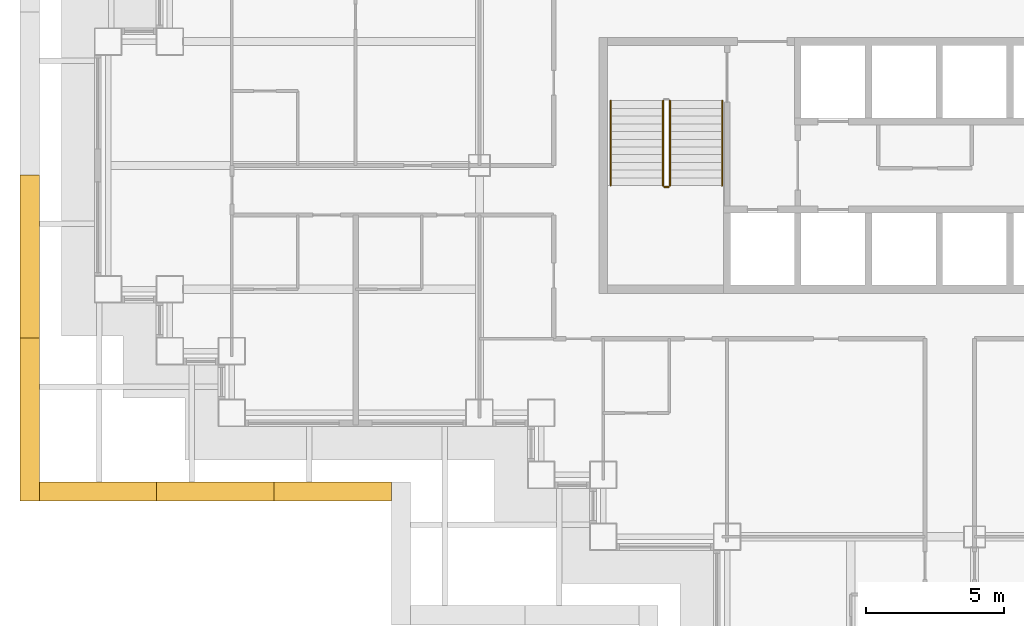
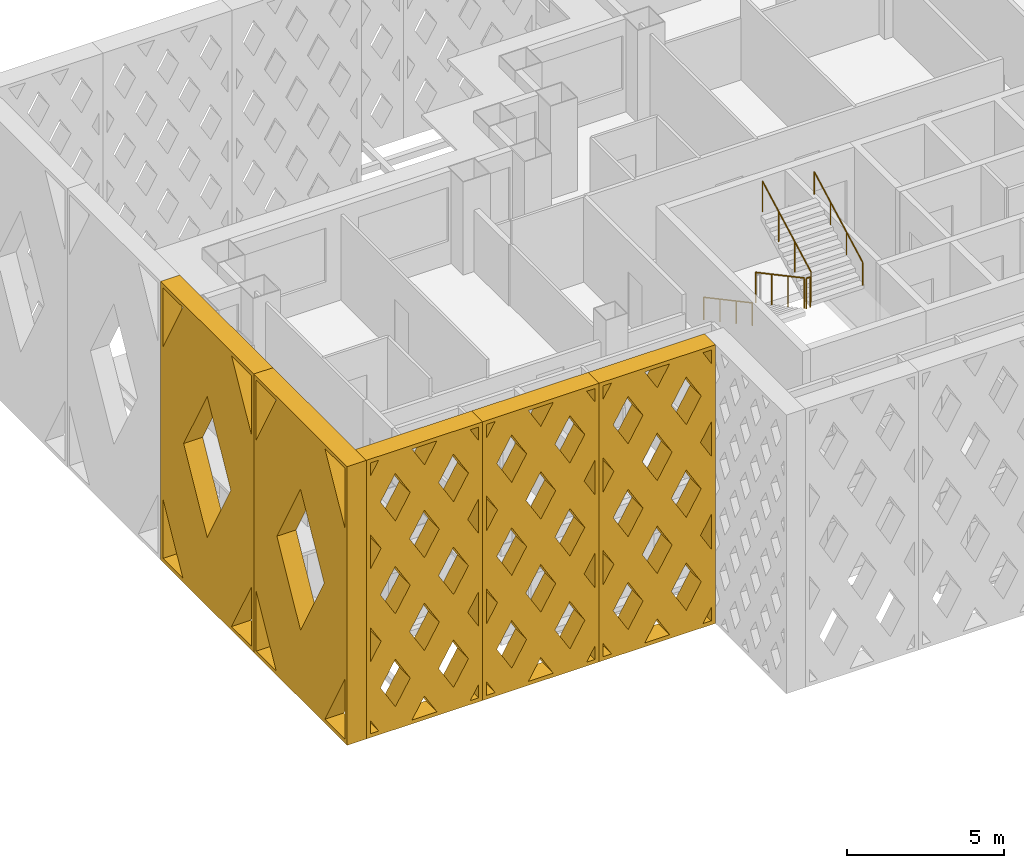
# One storey, part 14 of 19: 5 railings, 5 shading devices.
"""IFC4 building model written with IfcOpenShell, lengths in metres."""

from ifc_helpers import new_model, si_unit, direction, frame, origin, origin_2d, place, context, subcontext, project, spatial, polyline, circle, outline, extrude, material, type_object, element, save


model = new_model("IFC4")

# Units and contexts
model_context = context("Model", 3, precision=1e-05, world=origin(), true_north=direction((0.0, 1.0)))
body_context = subcontext(model_context, "Body", "Model", "MODEL_VIEW")
ifc_project = project(units=[si_unit("LENGTHUNIT", "METRE"), si_unit("AREAUNIT", "SQUARE_METRE"), si_unit("VOLUMEUNIT", "CUBIC_METRE"), si_unit("PLANEANGLEUNIT", "RADIAN"), si_unit("MASSUNIT", "GRAM", prefix="KILO")], contexts=[model_context])

# Site, building, storey
site_placement = place(None, origin())
site = spatial("IfcSite", under=ifc_project, at=site_placement, CompositionType="ELEMENT")
building_placement = place(site_placement, origin())
building = spatial("IfcBuilding", under=site, at=building_placement, Name="Caravel Reach Hotel and Residences", CompositionType="ELEMENT")
storey_placement = place(building_placement, frame((0.0, 0.0, 74.39990234375)))
storey = spatial("IfcBuildingStorey", under=building, at=storey_placement, Name="L17", CompositionType="ELEMENT", Elevation=74.39990234375)

# Shading devices
ifc_material_1 = material(Name="Black powder-coated aluminium", Category="aluminium")
shading_device_type_1 = type_object("IfcShadingDeviceType", Name="Diamond lattice screen panel 4267 x 10800", PredefinedType="USERDEFINED", material=ifc_material_1)
shading_device_1_placement = place(storey_placement, frame((-2.5, 15.5, 0.0), z_axis=(0.0, -1.0, 0.0), x_axis=(1.0, 0.0, 0.0)))
element("IfcShadingDevice", 1, at=shading_device_1_placement, inside=storey, type_object=shading_device_type_1, Name="Lattice screen L17-L19 18.1", ObjectType="SCREEN", PredefinedType="USERDEFINED", context=body_context, shape_type="SweptSolid", body=[
    extrude(outline(polyline([(0.0, 0.0), (4.2666015625, 0.0), (4.2666015625, 10.800048828125), (0.0, 10.800048828125), (0.0, 0.0)]), holes=[polyline([(0.457275390625, 0.14990234375), (0.14990234375, 0.66845703125), (0.14990234375, 0.14990234375), (0.457275390625, 0.14990234375)]), polyline([(0.546142578125, 3.60009765625), (0.14990234375, 4.2685546875), (0.14990234375, 2.931396484375), (0.546142578125, 3.60009765625)]), polyline([(0.546142578125, 7.199951171875), (0.14990234375, 7.868408203125), (0.14990234375, 6.531494140625), (0.546142578125, 7.199951171875)]), polyline([(0.14990234375, 10.131591796875), (0.457275390625, 10.64990234375), (0.14990234375, 10.64990234375), (0.14990234375, 10.131591796875)]), polyline([(1.066650390625, 2.7216796875), (0.5205078125, 1.800048828125), (1.066650390625, 0.87841796875), (1.61279296875, 1.800048828125), (1.066650390625, 2.7216796875)]), polyline([(1.066650390625, 6.321533203125), (0.5205078125, 5.39990234375), (1.066650390625, 4.478271484375), (1.61279296875, 5.39990234375), (1.066650390625, 6.321533203125)]), polyline([(1.066650390625, 9.921630859375), (0.5205078125, 9.0), (1.066650390625, 8.078369140625), (1.61279296875, 9.0), (1.066650390625, 9.921630859375)]), polyline([(2.13330078125, 0.921630859375), (1.676025390625, 0.14990234375), (2.590576171875, 0.14990234375), (2.13330078125, 0.921630859375)]), polyline([(2.13330078125, 4.521728515625), (1.587158203125, 3.60009765625), (2.13330078125, 2.678466796875), (2.679443359375, 3.60009765625), (2.13330078125, 4.521728515625)]), polyline([(2.13330078125, 8.12158203125), (1.587158203125, 7.199951171875), (2.13330078125, 6.2783203125), (2.679443359375, 7.199951171875), (2.13330078125, 8.12158203125)]), polyline([(2.13330078125, 9.87841796875), (2.590576171875, 10.64990234375), (1.676025390625, 10.64990234375), (2.13330078125, 9.87841796875)]), polyline([(3.199951171875, 2.7216796875), (2.65380859375, 1.800048828125), (3.199951171875, 0.87841796875), (3.74609375, 1.800048828125), (3.199951171875, 2.7216796875)]), polyline([(3.199951171875, 6.321533203125), (2.65380859375, 5.39990234375), (3.199951171875, 4.478271484375), (3.74609375, 5.39990234375), (3.199951171875, 6.321533203125)]), polyline([(3.199951171875, 9.921630859375), (2.65380859375, 9.0), (3.199951171875, 8.078369140625), (3.74609375, 9.0), (3.199951171875, 9.921630859375)]), polyline([(4.11669921875, 0.66845703125), (3.809326171875, 0.14990234375), (4.11669921875, 0.14990234375), (4.11669921875, 0.66845703125)]), polyline([(3.720458984375, 3.60009765625), (4.11669921875, 2.931396484375), (4.11669921875, 4.2685546875), (3.720458984375, 3.60009765625)]), polyline([(3.720458984375, 7.199951171875), (4.11669921875, 6.531494140625), (4.11669921875, 7.868408203125), (3.720458984375, 7.199951171875)]), polyline([(3.809326171875, 10.64990234375), (4.11669921875, 10.131591796875), (4.11669921875, 10.64990234375), (3.809326171875, 10.64990234375)])]), origin(), (0.0, 0.0, 1.0), 0.699951171875),
])
shading_device_2_placement = place(storey_placement, frame((1.7666015625, 15.5, 0.0), z_axis=(0.0, -1.0, 0.0), x_axis=(1.0, 0.0, 0.0)))
element("IfcShadingDevice", 2, at=shading_device_2_placement, inside=storey, type_object=shading_device_type_1, Name="Lattice screen L17-L19 18.2", ObjectType="SCREEN", PredefinedType="USERDEFINED", context=body_context, shape_type="SweptSolid", body=[
    extrude(outline(polyline([(0.0, 0.0), (4.2666015625, 0.0), (4.2666015625, 10.800048828125), (0.0, 10.800048828125), (0.0, 0.0)]), holes=[polyline([(0.457275390625, 0.14990234375), (0.14990234375, 0.66845703125), (0.14990234375, 0.14990234375), (0.457275390625, 0.14990234375)]), polyline([(0.546142578125, 3.60009765625), (0.14990234375, 4.2685546875), (0.14990234375, 2.931396484375), (0.546142578125, 3.60009765625)]), polyline([(0.546142578125, 7.199951171875), (0.14990234375, 7.868408203125), (0.14990234375, 6.531494140625), (0.546142578125, 7.199951171875)]), polyline([(0.14990234375, 10.131591796875), (0.457275390625, 10.64990234375), (0.14990234375, 10.64990234375), (0.14990234375, 10.131591796875)]), polyline([(1.066650390625, 2.7216796875), (0.5205078125, 1.800048828125), (1.066650390625, 0.87841796875), (1.61279296875, 1.800048828125), (1.066650390625, 2.7216796875)]), polyline([(1.066650390625, 6.321533203125), (0.5205078125, 5.39990234375), (1.066650390625, 4.478271484375), (1.61279296875, 5.39990234375), (1.066650390625, 6.321533203125)]), polyline([(1.066650390625, 9.921630859375), (0.5205078125, 9.0), (1.066650390625, 8.078369140625), (1.61279296875, 9.0), (1.066650390625, 9.921630859375)]), polyline([(2.13330078125, 0.921630859375), (1.676025390625, 0.14990234375), (2.590576171875, 0.14990234375), (2.13330078125, 0.921630859375)]), polyline([(2.13330078125, 4.521728515625), (1.587158203125, 3.60009765625), (2.13330078125, 2.678466796875), (2.679443359375, 3.60009765625), (2.13330078125, 4.521728515625)]), polyline([(2.13330078125, 8.12158203125), (1.587158203125, 7.199951171875), (2.13330078125, 6.2783203125), (2.679443359375, 7.199951171875), (2.13330078125, 8.12158203125)]), polyline([(2.13330078125, 9.87841796875), (2.590576171875, 10.64990234375), (1.676025390625, 10.64990234375), (2.13330078125, 9.87841796875)]), polyline([(3.199951171875, 2.7216796875), (2.65380859375, 1.800048828125), (3.199951171875, 0.87841796875), (3.74609375, 1.800048828125), (3.199951171875, 2.7216796875)]), polyline([(3.199951171875, 6.321533203125), (2.65380859375, 5.39990234375), (3.199951171875, 4.478271484375), (3.74609375, 5.39990234375), (3.199951171875, 6.321533203125)]), polyline([(3.199951171875, 9.921630859375), (2.65380859375, 9.0), (3.199951171875, 8.078369140625), (3.74609375, 9.0), (3.199951171875, 9.921630859375)]), polyline([(4.11669921875, 0.66845703125), (3.809326171875, 0.14990234375), (4.11669921875, 0.14990234375), (4.11669921875, 0.66845703125)]), polyline([(3.720458984375, 3.60009765625), (4.11669921875, 2.931396484375), (4.11669921875, 4.2685546875), (3.720458984375, 3.60009765625)]), polyline([(3.720458984375, 7.199951171875), (4.11669921875, 6.531494140625), (4.11669921875, 7.868408203125), (3.720458984375, 7.199951171875)]), polyline([(3.809326171875, 10.64990234375), (4.11669921875, 10.131591796875), (4.11669921875, 10.64990234375), (3.809326171875, 10.64990234375)])]), origin(), (0.0, 0.0, 1.0), 0.699951171875),
])
shading_device_3_placement = place(storey_placement, frame((6.033447265625, 15.5, 0.0), z_axis=(0.0, -1.0, 0.0), x_axis=(1.0, 0.0, 0.0)))
element("IfcShadingDevice", 3, at=shading_device_3_placement, inside=storey, type_object=shading_device_type_1, Name="Lattice screen L17-L19 18.3", ObjectType="SCREEN", PredefinedType="USERDEFINED", context=body_context, shape_type="SweptSolid", body=[
    extrude(outline(polyline([(0.0, 0.0), (4.2666015625, 0.0), (4.2666015625, 10.800048828125), (0.0, 10.800048828125), (0.0, 0.0)]), holes=[polyline([(0.457275390625, 0.14990234375), (0.14990234375, 0.66845703125), (0.14990234375, 0.14990234375), (0.457275390625, 0.14990234375)]), polyline([(0.546142578125, 3.60009765625), (0.14990234375, 4.2685546875), (0.14990234375, 2.931396484375), (0.546142578125, 3.60009765625)]), polyline([(0.546142578125, 7.199951171875), (0.14990234375, 7.868408203125), (0.14990234375, 6.531494140625), (0.546142578125, 7.199951171875)]), polyline([(0.14990234375, 10.131591796875), (0.457275390625, 10.64990234375), (0.14990234375, 10.64990234375), (0.14990234375, 10.131591796875)]), polyline([(1.066650390625, 2.7216796875), (0.5205078125, 1.800048828125), (1.066650390625, 0.87841796875), (1.61279296875, 1.800048828125), (1.066650390625, 2.7216796875)]), polyline([(1.066650390625, 6.321533203125), (0.5205078125, 5.39990234375), (1.066650390625, 4.478271484375), (1.61279296875, 5.39990234375), (1.066650390625, 6.321533203125)]), polyline([(1.066650390625, 9.921630859375), (0.5205078125, 9.0), (1.066650390625, 8.078369140625), (1.61279296875, 9.0), (1.066650390625, 9.921630859375)]), polyline([(2.13330078125, 0.921630859375), (1.676025390625, 0.14990234375), (2.590576171875, 0.14990234375), (2.13330078125, 0.921630859375)]), polyline([(2.13330078125, 4.521728515625), (1.587158203125, 3.60009765625), (2.13330078125, 2.678466796875), (2.679443359375, 3.60009765625), (2.13330078125, 4.521728515625)]), polyline([(2.13330078125, 8.12158203125), (1.587158203125, 7.199951171875), (2.13330078125, 6.2783203125), (2.679443359375, 7.199951171875), (2.13330078125, 8.12158203125)]), polyline([(2.13330078125, 9.87841796875), (2.590576171875, 10.64990234375), (1.676025390625, 10.64990234375), (2.13330078125, 9.87841796875)]), polyline([(3.199951171875, 2.7216796875), (2.65380859375, 1.800048828125), (3.199951171875, 0.87841796875), (3.74609375, 1.800048828125), (3.199951171875, 2.7216796875)]), polyline([(3.199951171875, 6.321533203125), (2.65380859375, 5.39990234375), (3.199951171875, 4.478271484375), (3.74609375, 5.39990234375), (3.199951171875, 6.321533203125)]), polyline([(3.199951171875, 9.921630859375), (2.65380859375, 9.0), (3.199951171875, 8.078369140625), (3.74609375, 9.0), (3.199951171875, 9.921630859375)]), polyline([(4.11669921875, 0.66845703125), (3.809326171875, 0.14990234375), (4.11669921875, 0.14990234375), (4.11669921875, 0.66845703125)]), polyline([(3.720458984375, 3.60009765625), (4.11669921875, 2.931396484375), (4.11669921875, 4.2685546875), (3.720458984375, 3.60009765625)]), polyline([(3.720458984375, 7.199951171875), (4.11669921875, 6.531494140625), (4.11669921875, 7.868408203125), (3.720458984375, 7.199951171875)]), polyline([(3.809326171875, 10.64990234375), (4.11669921875, 10.131591796875), (4.11669921875, 10.64990234375), (3.809326171875, 10.64990234375)])]), origin(), (0.0, 0.0, 1.0), 0.699951171875),
])
ifc_material_2 = material(Name="Black powder-coated aluminium", Category="aluminium")
shading_device_type_2 = type_object("IfcShadingDeviceType", Name="Diamond lattice screen panel 5925 x 10800", PredefinedType="USERDEFINED", material=ifc_material_2)
for number, where, z_axis, x_axis, name in (
    (4, (-2.5, 26.64990234375, 0.0), (-1.0, 0.0, 0.0), (0.0, -1.0, 0.0), "Lattice screen L17-L19 17.3"),
    (5, (-2.5, 20.72509765625, 0.0), (-1.0, 0.0, 0.0), (0.0, -1.0, 0.0), "Lattice screen L17-L19 17.4"),
):
    element("IfcShadingDevice", number, at=place(storey_placement, frame(where, z_axis=z_axis, x_axis=x_axis)), inside=storey, type_object=shading_device_type_2, Name=name, ObjectType="SCREEN", PredefinedType="USERDEFINED", context=body_context, shape_type="SweptSolid", body=[
        extrude(outline(polyline([(0.0, 0.0), (5.925048828125, 0.0), (5.925048828125, 10.800048828125), (0.0, 10.800048828125), (0.0, 0.0)]), holes=[polyline([(1.41845703125, 0.14990234375), (0.14990234375, 2.462158203125), (0.14990234375, 0.14990234375), (1.41845703125, 0.14990234375)]), polyline([(0.14990234375, 8.337646484375), (1.41845703125, 10.64990234375), (0.14990234375, 10.64990234375), (0.14990234375, 8.337646484375)]), polyline([(2.96240234375, 8.1357421875), (1.461669921875, 5.39990234375), (2.96240234375, 2.664306640625), (4.46337890625, 5.39990234375), (2.96240234375, 8.1357421875)]), polyline([(5.77490234375, 2.462158203125), (4.506591796875, 0.14990234375), (5.77490234375, 0.14990234375), (5.77490234375, 2.462158203125)]), polyline([(4.506591796875, 10.64990234375), (5.77490234375, 8.337646484375), (5.77490234375, 10.64990234375), (4.506591796875, 10.64990234375)])]), origin(), (0.0, 0.0, 1.0), 0.699951171875),
    ])

# Railings
ifc_material_3 = material(Name="Steel balustrade with glass infill", Category="steel")
railing_type_1 = type_object("IfcRailingType", Name="Guard 1200", PredefinedType="GUARDRAIL", material=ifc_material_3)
railing_1_placement = place(storey_placement, frame((20.175048828125, 29.35009765625, 0.150146484375)))
element("IfcRailing", 6, at=railing_1_placement, inside=storey, type_object=railing_type_1, Name="L17 ST-A stair guard 1", PredefinedType="GUARDRAIL", context=body_context, shape_type="SweptSolid", body=[
    extrude(circle(Radius=0.02392578125, at=origin_2d()), frame((0.0, 0.0, 1.17578125), z_axis=(0.0, -0.881496589024, 0.472190389079), x_axis=(1.0, 0.0, 0.0)), (0.0, 0.0, 1.0), 3.494140625),
    extrude(circle(Radius=0.02099609375, at=origin_2d()), origin(), (0.0, 0.0, 1.0), 1.15185546875),
    extrude(circle(Radius=0.02099609375, at=origin_2d()), frame((0.0, -1.026611328125, 0.550048828125)), (0.0, 0.0, 1.0), 1.15185546875),
    extrude(circle(Radius=0.02099609375, at=origin_2d()), frame((0.0, -2.053466796875, 1.099853515625)), (0.0, 0.0, 1.0), 1.15185546875),
    extrude(circle(Radius=0.02099609375, at=origin_2d()), frame((0.0, -3.080078125, 1.64990234375)), (0.0, 0.0, 1.0), 1.15185546875),
])
railing_2_placement = place(storey_placement, frame((20.22509765625, 26.219970703125, 1.800048828125)))
element("IfcRailing", 7, at=railing_2_placement, inside=storey, type_object=railing_type_1, Name="L17 ST-A stair guard 2", PredefinedType="GUARDRAIL", context=body_context, shape_type="SweptSolid", body=[
    extrude(circle(Radius=0.02392578125, at=origin_2d()), frame((0.0, 0.0, 1.17578125), z_axis=(1.0, 0.0, 0.0), x_axis=(0.0, 1.0, 0.0)), (0.0, 0.0, 1.0), 0.14990234375),
    extrude(circle(Radius=0.02099609375, at=origin_2d()), origin(), (0.0, 0.0, 1.0), 1.15185546875),
    extrude(circle(Radius=0.02099609375, at=origin_2d()), frame((0.14990234375, 0.0, 0.0)), (0.0, 0.0, 1.0), 1.15185546875),
])
railing_3_placement = place(storey_placement, frame((20.425048828125, 26.27001953125, 1.9501953125)))
element("IfcRailing", 8, at=railing_3_placement, inside=storey, type_object=railing_type_1, Name="L17 ST-A stair guard 3", PredefinedType="GUARDRAIL", context=body_context, shape_type="SweptSolid", body=[
    extrude(circle(Radius=0.02392578125, at=origin_2d()), frame((0.0, 0.0, 1.17578125), z_axis=(0.0, 0.881496589024, 0.472190389079), x_axis=(-1.0, 0.0, 0.0)), (0.0, 0.0, 1.0), 3.494140625),
    extrude(circle(Radius=0.02099609375, at=origin_2d()), origin(), (0.0, 0.0, 1.0), 1.15185546875),
    extrude(circle(Radius=0.02099609375, at=origin_2d()), frame((0.0, 1.026611328125, 0.550048828125)), (0.0, 0.0, 1.0), 1.15185546875),
    extrude(circle(Radius=0.02099609375, at=origin_2d()), frame((0.0, 2.053466796875, 1.099853515625)), (0.0, 0.0, 1.0), 1.15185546875),
    extrude(circle(Radius=0.02099609375, at=origin_2d()), frame((0.0, 3.080078125, 1.64990234375)), (0.0, 0.0, 1.0), 1.15185546875),
])
ifc_material_4 = material(Name="Stainless steel handrail", Category="steel")
railing_type_2 = type_object("IfcRailingType", Name="Handrail 900", PredefinedType="HANDRAIL", material=ifc_material_4)
railing_4_placement = place(storey_placement, frame((18.27490234375, 29.35009765625, 0.150146484375)))
element("IfcRailing", 9, at=railing_4_placement, inside=storey, type_object=railing_type_2, Name="L17 ST-A stair handrail 1", PredefinedType="HANDRAIL", context=body_context, shape_type="SweptSolid", body=[
    extrude(circle(Radius=0.02392578125, at=origin_2d()), frame((0.0, 0.0, 0.8759765625), z_axis=(0.0, -0.881496589024, 0.472190389079), x_axis=(1.0, 0.0, 0.0)), (0.0, 0.0, 1.0), 3.494140625),
    extrude(circle(Radius=0.02099609375, at=origin_2d()), origin(), (0.0, 0.0, 1.0), 0.851806640625),
    extrude(circle(Radius=0.02099609375, at=origin_2d()), frame((0.0, -1.026611328125, 0.550048828125)), (0.0, 0.0, 1.0), 0.851806640625),
    extrude(circle(Radius=0.02099609375, at=origin_2d()), frame((0.0, -2.053466796875, 1.099853515625)), (0.0, 0.0, 1.0), 0.851806640625),
    extrude(circle(Radius=0.02099609375, at=origin_2d()), frame((0.0, -3.080078125, 1.64990234375)), (0.0, 0.0, 1.0), 0.851806640625),
])
railing_5_placement = place(storey_placement, frame((22.324951171875, 26.27001953125, 1.9501953125)))
element("IfcRailing", 10, at=railing_5_placement, inside=storey, type_object=railing_type_2, Name="L17 ST-A stair handrail 2", PredefinedType="HANDRAIL", context=body_context, shape_type="SweptSolid", body=[
    extrude(circle(Radius=0.02392578125, at=origin_2d()), frame((0.0, 0.0, 0.8759765625), z_axis=(0.0, 0.881496589024, 0.472190389079), x_axis=(-1.0, 0.0, 0.0)), (0.0, 0.0, 1.0), 3.494140625),
    extrude(circle(Radius=0.02099609375, at=origin_2d()), origin(), (0.0, 0.0, 1.0), 0.851806640625),
    extrude(circle(Radius=0.02099609375, at=origin_2d()), frame((0.0, 1.026611328125, 0.550048828125)), (0.0, 0.0, 1.0), 0.851806640625),
    extrude(circle(Radius=0.02099609375, at=origin_2d()), frame((0.0, 2.053466796875, 1.099853515625)), (0.0, 0.0, 1.0), 0.851806640625),
    extrude(circle(Radius=0.02099609375, at=origin_2d()), frame((0.0, 3.080078125, 1.64990234375)), (0.0, 0.0, 1.0), 0.851806640625),
])

save(model, "model.ifc")
